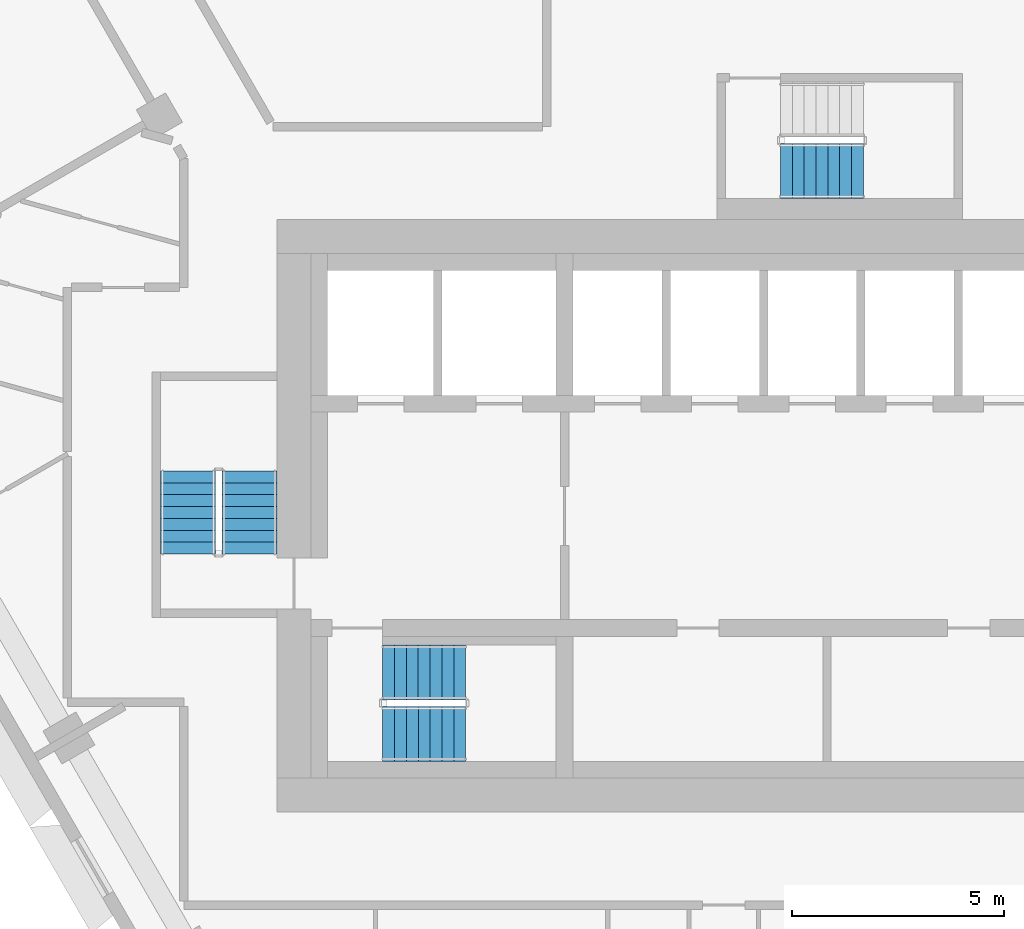
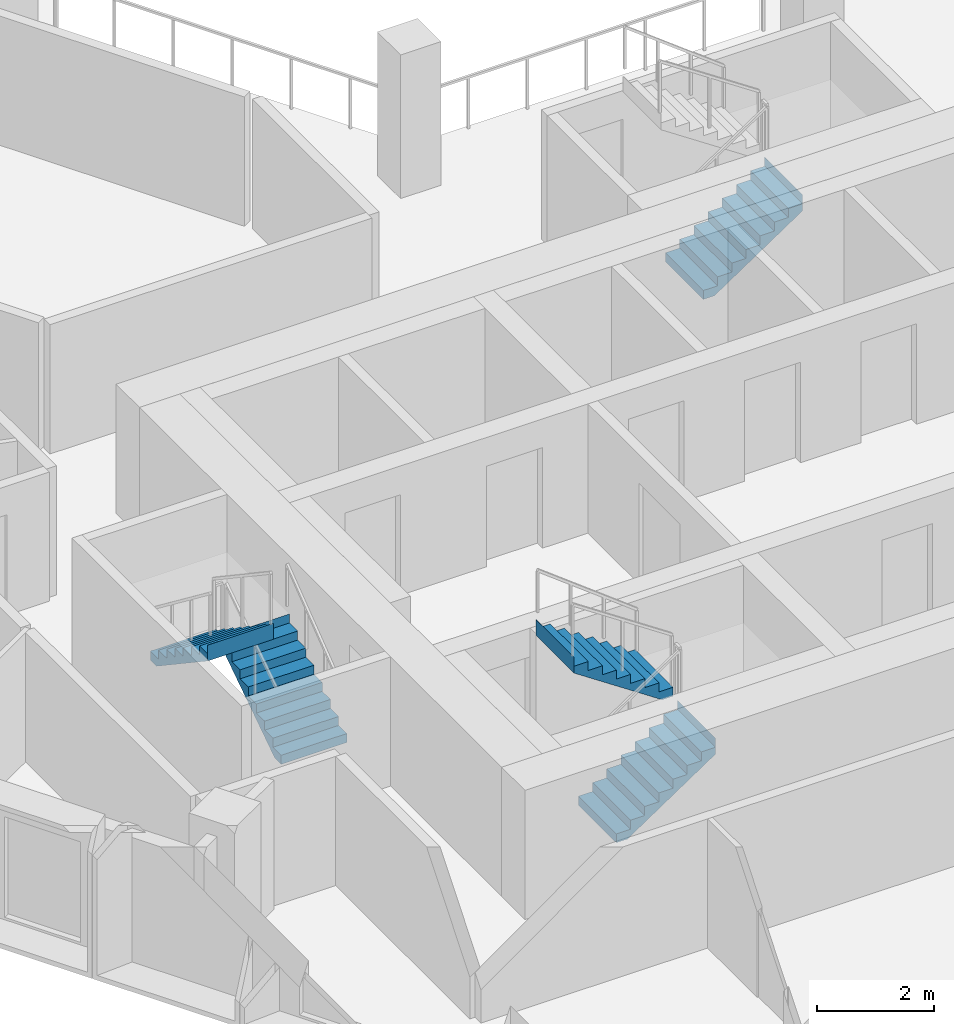
# One storey, part 10 of 15: 5 stair flights, 3 elements without a shape of their own.
"""IFC4 building model written with IfcOpenShell, lengths in metres."""

from ifc_helpers import new_model, si_unit, direction, frame, origin, place, context, subcontext, project, spatial, triangles, material, type_object, element, aggregate, save


model = new_model("IFC4")

# Units and contexts
model_context = context("Model", 3, precision=1e-05, world=origin(), true_north=direction((0.0, 1.0)))
body_context = subcontext(model_context, "Body", "Model", "MODEL_VIEW")
ifc_project = project(units=[si_unit("LENGTHUNIT", "METRE"), si_unit("AREAUNIT", "SQUARE_METRE"), si_unit("VOLUMEUNIT", "CUBIC_METRE"), si_unit("PLANEANGLEUNIT", "RADIAN"), si_unit("MASSUNIT", "GRAM", prefix="KILO")], contexts=[model_context])

# Site, building, storey
site_placement = place(None, origin())
site = spatial("IfcSite", under=ifc_project, at=site_placement, CompositionType="ELEMENT")
building_placement = place(site_placement, origin())
building = spatial("IfcBuilding", under=site, at=building_placement, Name="Beryl Residences", CompositionType="ELEMENT")
storey_placement = place(building_placement, frame((0.0, 0.0, 117.60009765625)))
storey = spatial("IfcBuildingStorey", under=building, at=storey_placement, Name="L35", CompositionType="ELEMENT", Elevation=117.60009765625)

# Stair, stair flights
ifc_material_1 = material(Name="Concrete C40/50", Category="concrete")
stair_type = type_object("IfcStairType", Name="ST1 protected exit stair, half-turn, 1300 mm flights", PredefinedType="HALF_TURN_STAIR", material=ifc_material_1)
stair_1_placement = place(storey_placement, origin())
stair_1 = element("IfcStair", 1, at=stair_1_placement, inside=storey, type_object=stair_type, Name="L35 PROTECTED EXIT STAIR ST-1", PredefinedType="HALF_TURN_STAIR")
ifc_material_2 = material(Name="Concrete C40/50", Category="concrete")
stair_flight_type = type_object("IfcStairFlightType", Name="SF1 stair flight 1300 mm", PredefinedType="STRAIGHT", material=ifc_material_2)
stair_flight_1_placement = place(storey_placement, frame((-10.800048828125, -17.14990234375, 0.0), z_axis=(0.0, 0.0, 1.0), x_axis=(1.0, 0.0, 0.0)))
stair_flight_1 = element("IfcStairFlight", 2, at=stair_flight_1_placement, type_object=stair_flight_type, Name="ST-1 flight 1", NumberOfRisers=8, NumberOfTreads=7, PredefinedType="STRAIGHT", RiserHeight=0.1875, TreadLength=0.28, context=body_context, shape_type="Tessellation", body=[
    triangles([(0.0, -0.64990234375, 0.0), (0.0, -0.324951171875, 0.0), (0.0, 0.0, 0.0), (0.0, 0.324951171875, 0.0), (0.0, 0.64990234375, 0.0), (0.0, -0.64990234375, 0.1875), (0.0, -0.324951171875, 0.1875), (0.0, 0.0, 0.1875), (0.0, 0.324951171875, 0.1875), (0.0, 0.64990234375, 0.1875), (0.280029296875, -0.64990234375, 0.1875), (0.280029296875, -0.324951171875, 0.1875), (0.280029296875, 0.0, 0.1875), (0.280029296875, 0.324951171875, 0.1875), (0.280029296875, 0.64990234375, 0.1875), (0.280029296875, -0.64990234375, 0.375), (0.280029296875, -0.324951171875, 0.375), (0.280029296875, 0.0, 0.375), (0.280029296875, 0.324951171875, 0.375), (0.280029296875, 0.64990234375, 0.375), (0.56005859375, -0.64990234375, 0.375), (0.56005859375, -0.324951171875, 0.375), (0.56005859375, 0.0, 0.375), (0.56005859375, 0.324951171875, 0.375), (0.56005859375, 0.64990234375, 0.375), (0.56005859375, -0.64990234375, 0.5625), (0.56005859375, -0.324951171875, 0.5625), (0.56005859375, 0.0, 0.5625), (0.56005859375, 0.324951171875, 0.5625), (0.56005859375, 0.64990234375, 0.5625), (0.840087890625, -0.64990234375, 0.5625), (0.840087890625, -0.324951171875, 0.5625), (0.840087890625, 0.0, 0.5625), (0.840087890625, 0.324951171875, 0.5625), (0.840087890625, 0.64990234375, 0.5625), (0.840087890625, -0.64990234375, 0.75), (0.840087890625, -0.324951171875, 0.75), (0.840087890625, 0.0, 0.75), (0.840087890625, 0.324951171875, 0.75), (0.840087890625, 0.64990234375, 0.75), (1.1201171875, -0.64990234375, 0.75), (1.1201171875, -0.324951171875, 0.75), (1.1201171875, 0.0, 0.75), (1.1201171875, 0.324951171875, 0.75), (1.1201171875, 0.64990234375, 0.75), (1.1201171875, -0.64990234375, 0.9375), (1.1201171875, -0.324951171875, 0.9375), (1.1201171875, 0.0, 0.9375), (1.1201171875, 0.324951171875, 0.9375), (1.1201171875, 0.64990234375, 0.9375), (1.39990234375, -0.64990234375, 0.9375), (1.39990234375, -0.324951171875, 0.9375), (1.39990234375, 0.0, 0.9375), (1.39990234375, 0.324951171875, 0.9375), (1.39990234375, 0.64990234375, 0.9375), (1.39990234375, -0.64990234375, 1.125), (1.39990234375, -0.324951171875, 1.125), (1.39990234375, 0.0, 1.125), (1.39990234375, 0.324951171875, 1.125), (1.39990234375, 0.64990234375, 1.125), (1.679931640625, -0.64990234375, 1.125), (1.679931640625, -0.324951171875, 1.125), (1.679931640625, 0.0, 1.125), (1.679931640625, 0.324951171875, 1.125), (1.679931640625, 0.64990234375, 1.125), (1.679931640625, -0.64990234375, 1.3125), (1.679931640625, -0.324951171875, 1.3125), (1.679931640625, 0.0, 1.3125), (1.679931640625, 0.324951171875, 1.3125), (1.679931640625, 0.64990234375, 1.3125), (1.9599609375, -0.64990234375, 1.3125), (1.9599609375, -0.324951171875, 1.3125), (1.9599609375, 0.0, 1.3125), (1.9599609375, 0.324951171875, 1.3125), (1.9599609375, 0.64990234375, 1.3125), (1.9599609375, -0.64990234375, 1.5), (1.9599609375, -0.324951171875, 1.5), (1.9599609375, 0.0, 1.5), (1.9599609375, 0.324951171875, 1.5), (1.9599609375, 0.64990234375, 1.5), (1.9609375, -0.64990234375, 1.5), (1.9609375, -0.324951171875, 1.5), (1.9609375, 0.0, 1.5), (1.9609375, 0.324951171875, 1.5), (1.9609375, 0.64990234375, 1.5), (1.9609375, -0.64990234375, 1.16796875), (1.9609375, -0.324951171875, 1.16796875), (1.9609375, 0.0, 1.16796875), (1.9609375, 0.324951171875, 1.16796875), (1.9609375, 0.64990234375, 1.16796875), (0.216796875, -0.64990234375, 0.0), (0.216796875, -0.324951171875, 0.0), (0.216796875, 0.0, 0.0), (0.216796875, 0.324951171875, 0.0), (0.216796875, 0.64990234375, 0.0)], [[1, 6, 7], [1, 7, 2], [2, 7, 8], [2, 8, 3], [3, 8, 9], [3, 9, 4], [4, 9, 10], [4, 10, 5], [6, 11, 12], [6, 12, 7], [7, 12, 13], [7, 13, 8], [8, 13, 14], [8, 14, 9], [9, 14, 15], [9, 15, 10], [11, 16, 17], [11, 17, 12], [12, 17, 18], [12, 18, 13], [13, 18, 19], [13, 19, 14], [14, 19, 20], [14, 20, 15], [16, 21, 22], [16, 22, 17], [17, 22, 23], [17, 23, 18], [18, 23, 24], [18, 24, 19], [19, 24, 25], [19, 25, 20], [21, 26, 27], [21, 27, 22], [22, 27, 28], [22, 28, 23], [23, 28, 29], [23, 29, 24], [24, 29, 30], [24, 30, 25], [26, 31, 32], [26, 32, 27], [27, 32, 33], [27, 33, 28], [28, 33, 34], [28, 34, 29], [29, 34, 35], [29, 35, 30], [31, 36, 37], [31, 37, 32], [32, 37, 38], [32, 38, 33], [33, 38, 39], [33, 39, 34], [34, 39, 40], [34, 40, 35], [36, 41, 42], [36, 42, 37], [37, 42, 43], [37, 43, 38], [38, 43, 44], [38, 44, 39], [39, 44, 45], [39, 45, 40], [41, 46, 47], [41, 47, 42], [42, 47, 48], [42, 48, 43], [43, 48, 49], [43, 49, 44], [44, 49, 50], [44, 50, 45], [46, 51, 52], [46, 52, 47], [47, 52, 53], [47, 53, 48], [48, 53, 54], [48, 54, 49], [49, 54, 55], [49, 55, 50], [51, 56, 57], [51, 57, 52], [52, 57, 58], [52, 58, 53], [53, 58, 59], [53, 59, 54], [54, 59, 60], [54, 60, 55], [56, 61, 62], [56, 62, 57], [57, 62, 63], [57, 63, 58], [58, 63, 64], [58, 64, 59], [59, 64, 65], [59, 65, 60], [61, 66, 67], [61, 67, 62], [62, 67, 68], [62, 68, 63], [63, 68, 69], [63, 69, 64], [64, 69, 70], [64, 70, 65], [66, 71, 72], [66, 72, 67], [67, 72, 73], [67, 73, 68], [68, 73, 74], [68, 74, 69], [69, 74, 75], [69, 75, 70], [71, 76, 77], [71, 77, 72], [72, 77, 78], [72, 78, 73], [73, 78, 79], [73, 79, 74], [74, 79, 80], [74, 80, 75], [76, 81, 82], [76, 82, 77], [77, 82, 83], [77, 83, 78], [78, 83, 84], [78, 84, 79], [79, 84, 85], [79, 85, 80], [81, 86, 87], [81, 87, 82], [82, 87, 88], [82, 88, 83], [83, 88, 89], [83, 89, 84], [84, 89, 90], [84, 90, 85], [86, 91, 92], [86, 92, 87], [87, 92, 93], [87, 93, 88], [88, 93, 94], [88, 94, 89], [89, 94, 95], [89, 95, 90], [91, 1, 2], [91, 2, 92], [92, 2, 3], [92, 3, 93], [93, 3, 4], [93, 4, 94], [94, 4, 5], [94, 5, 95], [1, 91, 86], [5, 90, 95], [86, 81, 76], [90, 80, 85], [86, 76, 71], [90, 75, 80], [86, 71, 66], [90, 70, 75], [86, 66, 61], [90, 65, 70], [61, 56, 51], [65, 55, 60], [86, 61, 51], [90, 55, 65], [51, 46, 41], [55, 45, 50], [86, 51, 41], [90, 45, 55], [41, 36, 31], [45, 35, 40], [86, 41, 31], [90, 35, 45], [31, 26, 21], [35, 25, 30], [86, 31, 21], [90, 25, 35], [21, 16, 11], [25, 15, 20], [86, 21, 11], [90, 15, 25], [1, 86, 11], [5, 15, 90], [11, 6, 1], [15, 5, 10]], closed=True),
])
stair_flight_2_placement = place(storey_placement, frame((-8.840087890625, -15.699951171875, 1.5), z_axis=(0.0, 0.0, 1.0), x_axis=(-1.0, 0.0, 0.0)))
stair_flight_2 = element("IfcStairFlight", 3, at=stair_flight_2_placement, type_object=stair_flight_type, Name="ST-1 flight 2", NumberOfRisers=8, NumberOfTreads=7, PredefinedType="STRAIGHT", RiserHeight=0.1875, TreadLength=0.28, context=body_context, shape_type="Tessellation", body=[
    triangles([(0.0, -0.64990234375, 0.0), (0.0, -0.324951171875, 0.0), (0.0, 0.0, 0.0), (0.0, 0.324951171875, 0.0), (0.0, 0.64990234375, 0.0), (0.0, -0.64990234375, 0.1875), (0.0, -0.324951171875, 0.1875), (0.0, 0.0, 0.1875), (0.0, 0.324951171875, 0.1875), (0.0, 0.64990234375, 0.1875), (0.280029296875, -0.64990234375, 0.1875), (0.280029296875, -0.324951171875, 0.1875), (0.280029296875, 0.0, 0.1875), (0.280029296875, 0.324951171875, 0.1875), (0.280029296875, 0.64990234375, 0.1875), (0.280029296875, -0.64990234375, 0.375), (0.280029296875, -0.324951171875, 0.375), (0.280029296875, 0.0, 0.375), (0.280029296875, 0.324951171875, 0.375), (0.280029296875, 0.64990234375, 0.375), (0.56005859375, -0.64990234375, 0.375), (0.56005859375, -0.324951171875, 0.375), (0.56005859375, 0.0, 0.375), (0.56005859375, 0.324951171875, 0.375), (0.56005859375, 0.64990234375, 0.375), (0.56005859375, -0.64990234375, 0.5625), (0.56005859375, -0.324951171875, 0.5625), (0.56005859375, 0.0, 0.5625), (0.56005859375, 0.324951171875, 0.5625), (0.56005859375, 0.64990234375, 0.5625), (0.840087890625, -0.64990234375, 0.5625), (0.840087890625, -0.324951171875, 0.5625), (0.840087890625, 0.0, 0.5625), (0.840087890625, 0.324951171875, 0.5625), (0.840087890625, 0.64990234375, 0.5625), (0.840087890625, -0.64990234375, 0.75), (0.840087890625, -0.324951171875, 0.75), (0.840087890625, 0.0, 0.75), (0.840087890625, 0.324951171875, 0.75), (0.840087890625, 0.64990234375, 0.75), (1.1201171875, -0.64990234375, 0.75), (1.1201171875, -0.324951171875, 0.75), (1.1201171875, 0.0, 0.75), (1.1201171875, 0.324951171875, 0.75), (1.1201171875, 0.64990234375, 0.75), (1.1201171875, -0.64990234375, 0.9375), (1.1201171875, -0.324951171875, 0.9375), (1.1201171875, 0.0, 0.9375), (1.1201171875, 0.324951171875, 0.9375), (1.1201171875, 0.64990234375, 0.9375), (1.39990234375, -0.64990234375, 0.9375), (1.39990234375, -0.324951171875, 0.9375), (1.39990234375, 0.0, 0.9375), (1.39990234375, 0.324951171875, 0.9375), (1.39990234375, 0.64990234375, 0.9375), (1.39990234375, -0.64990234375, 1.125), (1.39990234375, -0.324951171875, 1.125), (1.39990234375, 0.0, 1.125), (1.39990234375, 0.324951171875, 1.125), (1.39990234375, 0.64990234375, 1.125), (1.679931640625, -0.64990234375, 1.125), (1.679931640625, -0.324951171875, 1.125), (1.679931640625, 0.0, 1.125), (1.679931640625, 0.324951171875, 1.125), (1.679931640625, 0.64990234375, 1.125), (1.679931640625, -0.64990234375, 1.3125), (1.679931640625, -0.324951171875, 1.3125), (1.679931640625, 0.0, 1.3125), (1.679931640625, 0.324951171875, 1.3125), (1.679931640625, 0.64990234375, 1.3125), (1.9599609375, -0.64990234375, 1.3125), (1.9599609375, -0.324951171875, 1.3125), (1.9599609375, 0.0, 1.3125), (1.9599609375, 0.324951171875, 1.3125), (1.9599609375, 0.64990234375, 1.3125), (1.9599609375, -0.64990234375, 1.5), (1.9599609375, -0.324951171875, 1.5), (1.9599609375, 0.0, 1.5), (1.9599609375, 0.324951171875, 1.5), (1.9599609375, 0.64990234375, 1.5), (1.9609375, -0.64990234375, 1.5), (1.9609375, -0.324951171875, 1.5), (1.9609375, 0.0, 1.5), (1.9609375, 0.324951171875, 1.5), (1.9609375, 0.64990234375, 1.5), (1.9609375, -0.64990234375, 1.16796875), (1.9609375, -0.324951171875, 1.16796875), (1.9609375, 0.0, 1.16796875), (1.9609375, 0.324951171875, 1.16796875), (1.9609375, 0.64990234375, 1.16796875), (0.216796875, -0.64990234375, 0.0), (0.216796875, -0.324951171875, 0.0), (0.216796875, 0.0, 0.0), (0.216796875, 0.324951171875, 0.0), (0.216796875, 0.64990234375, 0.0)], [[1, 6, 7], [1, 7, 2], [2, 7, 8], [2, 8, 3], [3, 8, 9], [3, 9, 4], [4, 9, 10], [4, 10, 5], [6, 11, 12], [6, 12, 7], [7, 12, 13], [7, 13, 8], [8, 13, 14], [8, 14, 9], [9, 14, 15], [9, 15, 10], [11, 16, 17], [11, 17, 12], [12, 17, 18], [12, 18, 13], [13, 18, 19], [13, 19, 14], [14, 19, 20], [14, 20, 15], [16, 21, 22], [16, 22, 17], [17, 22, 23], [17, 23, 18], [18, 23, 24], [18, 24, 19], [19, 24, 25], [19, 25, 20], [21, 26, 27], [21, 27, 22], [22, 27, 28], [22, 28, 23], [23, 28, 29], [23, 29, 24], [24, 29, 30], [24, 30, 25], [26, 31, 32], [26, 32, 27], [27, 32, 33], [27, 33, 28], [28, 33, 34], [28, 34, 29], [29, 34, 35], [29, 35, 30], [31, 36, 37], [31, 37, 32], [32, 37, 38], [32, 38, 33], [33, 38, 39], [33, 39, 34], [34, 39, 40], [34, 40, 35], [36, 41, 42], [36, 42, 37], [37, 42, 43], [37, 43, 38], [38, 43, 44], [38, 44, 39], [39, 44, 45], [39, 45, 40], [41, 46, 47], [41, 47, 42], [42, 47, 48], [42, 48, 43], [43, 48, 49], [43, 49, 44], [44, 49, 50], [44, 50, 45], [46, 51, 52], [46, 52, 47], [47, 52, 53], [47, 53, 48], [48, 53, 54], [48, 54, 49], [49, 54, 55], [49, 55, 50], [51, 56, 57], [51, 57, 52], [52, 57, 58], [52, 58, 53], [53, 58, 59], [53, 59, 54], [54, 59, 60], [54, 60, 55], [56, 61, 62], [56, 62, 57], [57, 62, 63], [57, 63, 58], [58, 63, 64], [58, 64, 59], [59, 64, 65], [59, 65, 60], [61, 66, 67], [61, 67, 62], [62, 67, 68], [62, 68, 63], [63, 68, 69], [63, 69, 64], [64, 69, 70], [64, 70, 65], [66, 71, 72], [66, 72, 67], [67, 72, 73], [67, 73, 68], [68, 73, 74], [68, 74, 69], [69, 74, 75], [69, 75, 70], [71, 76, 77], [71, 77, 72], [72, 77, 78], [72, 78, 73], [73, 78, 79], [73, 79, 74], [74, 79, 80], [74, 80, 75], [76, 81, 82], [76, 82, 77], [77, 82, 83], [77, 83, 78], [78, 83, 84], [78, 84, 79], [79, 84, 85], [79, 85, 80], [81, 86, 87], [81, 87, 82], [82, 87, 88], [82, 88, 83], [83, 88, 89], [83, 89, 84], [84, 89, 90], [84, 90, 85], [86, 91, 92], [86, 92, 87], [87, 92, 93], [87, 93, 88], [88, 93, 94], [88, 94, 89], [89, 94, 95], [89, 95, 90], [91, 1, 2], [91, 2, 92], [92, 2, 3], [92, 3, 93], [93, 3, 4], [93, 4, 94], [94, 4, 5], [94, 5, 95], [1, 91, 86], [5, 90, 95], [86, 81, 76], [90, 80, 85], [86, 76, 71], [90, 75, 80], [86, 71, 66], [90, 70, 75], [86, 66, 61], [90, 65, 70], [61, 56, 51], [65, 55, 60], [86, 61, 51], [90, 55, 65], [51, 46, 41], [55, 45, 50], [86, 51, 41], [90, 45, 55], [41, 36, 31], [45, 35, 40], [86, 41, 31], [90, 35, 45], [31, 26, 21], [35, 25, 30], [86, 31, 21], [90, 25, 35], [21, 16, 11], [25, 15, 20], [86, 21, 11], [90, 15, 25], [1, 86, 11], [5, 15, 90], [11, 6, 1], [15, 5, 10]], closed=True),
])
aggregate(stair_1, [stair_flight_1, stair_flight_2])

stair_2_placement = place(storey_placement, origin())
stair_2 = element("IfcStair", 4, at=stair_2_placement, inside=storey, type_object=stair_type, Name="L35 PROTECTED EXIT STAIR ST-2", PredefinedType="HALF_TURN_STAIR")
stair_flight_3_placement = place(storey_placement, frame((-13.949951171875, -12.89990234375, 0.0), z_axis=(0.0, 0.0, 1.0), x_axis=(0.0, 1.0, 0.0)))
stair_flight_3 = element("IfcStairFlight", 5, at=stair_flight_3_placement, type_object=stair_flight_type, Name="ST-2 flight 1", NumberOfRisers=8, NumberOfTreads=7, PredefinedType="STRAIGHT", RiserHeight=0.1875, TreadLength=0.28, context=body_context, shape_type="Tessellation", body=[
    triangles([(0.0, -0.64990234375, 0.0), (0.0, -0.324951171875, 0.0), (0.0, 0.0, 0.0), (0.0, 0.324951171875, 0.0), (0.0, 0.64990234375, 0.0), (0.0, -0.64990234375, 0.1875), (0.0, -0.324951171875, 0.1875), (0.0, 0.0, 0.1875), (0.0, 0.324951171875, 0.1875), (0.0, 0.64990234375, 0.1875), (0.280029296875, -0.64990234375, 0.1875), (0.280029296875, -0.324951171875, 0.1875), (0.280029296875, 0.0, 0.1875), (0.280029296875, 0.324951171875, 0.1875), (0.280029296875, 0.64990234375, 0.1875), (0.280029296875, -0.64990234375, 0.375), (0.280029296875, -0.324951171875, 0.375), (0.280029296875, 0.0, 0.375), (0.280029296875, 0.324951171875, 0.375), (0.280029296875, 0.64990234375, 0.375), (0.56005859375, -0.64990234375, 0.375), (0.56005859375, -0.324951171875, 0.375), (0.56005859375, 0.0, 0.375), (0.56005859375, 0.324951171875, 0.375), (0.56005859375, 0.64990234375, 0.375), (0.56005859375, -0.64990234375, 0.5625), (0.56005859375, -0.324951171875, 0.5625), (0.56005859375, 0.0, 0.5625), (0.56005859375, 0.324951171875, 0.5625), (0.56005859375, 0.64990234375, 0.5625), (0.840087890625, -0.64990234375, 0.5625), (0.840087890625, -0.324951171875, 0.5625), (0.840087890625, 0.0, 0.5625), (0.840087890625, 0.324951171875, 0.5625), (0.840087890625, 0.64990234375, 0.5625), (0.840087890625, -0.64990234375, 0.75), (0.840087890625, -0.324951171875, 0.75), (0.840087890625, 0.0, 0.75), (0.840087890625, 0.324951171875, 0.75), (0.840087890625, 0.64990234375, 0.75), (1.1201171875, -0.64990234375, 0.75), (1.1201171875, -0.324951171875, 0.75), (1.1201171875, 0.0, 0.75), (1.1201171875, 0.324951171875, 0.75), (1.1201171875, 0.64990234375, 0.75), (1.1201171875, -0.64990234375, 0.9375), (1.1201171875, -0.324951171875, 0.9375), (1.1201171875, 0.0, 0.9375), (1.1201171875, 0.324951171875, 0.9375), (1.1201171875, 0.64990234375, 0.9375), (1.39990234375, -0.64990234375, 0.9375), (1.39990234375, -0.324951171875, 0.9375), (1.39990234375, 0.0, 0.9375), (1.39990234375, 0.324951171875, 0.9375), (1.39990234375, 0.64990234375, 0.9375), (1.39990234375, -0.64990234375, 1.125), (1.39990234375, -0.324951171875, 1.125), (1.39990234375, 0.0, 1.125), (1.39990234375, 0.324951171875, 1.125), (1.39990234375, 0.64990234375, 1.125), (1.679931640625, -0.64990234375, 1.125), (1.679931640625, -0.324951171875, 1.125), (1.679931640625, 0.0, 1.125), (1.679931640625, 0.324951171875, 1.125), (1.679931640625, 0.64990234375, 1.125), (1.679931640625, -0.64990234375, 1.3125), (1.679931640625, -0.324951171875, 1.3125), (1.679931640625, 0.0, 1.3125), (1.679931640625, 0.324951171875, 1.3125), (1.679931640625, 0.64990234375, 1.3125), (1.9599609375, -0.64990234375, 1.3125), (1.9599609375, -0.324951171875, 1.3125), (1.9599609375, 0.0, 1.3125), (1.9599609375, 0.324951171875, 1.3125), (1.9599609375, 0.64990234375, 1.3125), (1.9599609375, -0.64990234375, 1.5), (1.9599609375, -0.324951171875, 1.5), (1.9599609375, 0.0, 1.5), (1.9599609375, 0.324951171875, 1.5), (1.9599609375, 0.64990234375, 1.5), (1.9609375, -0.64990234375, 1.5), (1.9609375, -0.324951171875, 1.5), (1.9609375, 0.0, 1.5), (1.9609375, 0.324951171875, 1.5), (1.9609375, 0.64990234375, 1.5), (1.9609375, -0.64990234375, 1.16796875), (1.9609375, -0.324951171875, 1.16796875), (1.9609375, 0.0, 1.16796875), (1.9609375, 0.324951171875, 1.16796875), (1.9609375, 0.64990234375, 1.16796875), (0.216796875, -0.64990234375, 0.0), (0.216796875, -0.324951171875, 0.0), (0.216796875, 0.0, 0.0), (0.216796875, 0.324951171875, 0.0), (0.216796875, 0.64990234375, 0.0)], [[1, 6, 7], [1, 7, 2], [2, 7, 8], [2, 8, 3], [3, 8, 9], [3, 9, 4], [4, 9, 10], [4, 10, 5], [6, 11, 12], [6, 12, 7], [7, 12, 13], [7, 13, 8], [8, 13, 14], [8, 14, 9], [9, 14, 15], [9, 15, 10], [11, 16, 17], [11, 17, 12], [12, 17, 18], [12, 18, 13], [13, 18, 19], [13, 19, 14], [14, 19, 20], [14, 20, 15], [16, 21, 22], [16, 22, 17], [17, 22, 23], [17, 23, 18], [18, 23, 24], [18, 24, 19], [19, 24, 25], [19, 25, 20], [21, 26, 27], [21, 27, 22], [22, 27, 28], [22, 28, 23], [23, 28, 29], [23, 29, 24], [24, 29, 30], [24, 30, 25], [26, 31, 32], [26, 32, 27], [27, 32, 33], [27, 33, 28], [28, 33, 34], [28, 34, 29], [29, 34, 35], [29, 35, 30], [31, 36, 37], [31, 37, 32], [32, 37, 38], [32, 38, 33], [33, 38, 39], [33, 39, 34], [34, 39, 40], [34, 40, 35], [36, 41, 42], [36, 42, 37], [37, 42, 43], [37, 43, 38], [38, 43, 44], [38, 44, 39], [39, 44, 45], [39, 45, 40], [41, 46, 47], [41, 47, 42], [42, 47, 48], [42, 48, 43], [43, 48, 49], [43, 49, 44], [44, 49, 50], [44, 50, 45], [46, 51, 52], [46, 52, 47], [47, 52, 53], [47, 53, 48], [48, 53, 54], [48, 54, 49], [49, 54, 55], [49, 55, 50], [51, 56, 57], [51, 57, 52], [52, 57, 58], [52, 58, 53], [53, 58, 59], [53, 59, 54], [54, 59, 60], [54, 60, 55], [56, 61, 62], [56, 62, 57], [57, 62, 63], [57, 63, 58], [58, 63, 64], [58, 64, 59], [59, 64, 65], [59, 65, 60], [61, 66, 67], [61, 67, 62], [62, 67, 68], [62, 68, 63], [63, 68, 69], [63, 69, 64], [64, 69, 70], [64, 70, 65], [66, 71, 72], [66, 72, 67], [67, 72, 73], [67, 73, 68], [68, 73, 74], [68, 74, 69], [69, 74, 75], [69, 75, 70], [71, 76, 77], [71, 77, 72], [72, 77, 78], [72, 78, 73], [73, 78, 79], [73, 79, 74], [74, 79, 80], [74, 80, 75], [76, 81, 82], [76, 82, 77], [77, 82, 83], [77, 83, 78], [78, 83, 84], [78, 84, 79], [79, 84, 85], [79, 85, 80], [81, 86, 87], [81, 87, 82], [82, 87, 88], [82, 88, 83], [83, 88, 89], [83, 89, 84], [84, 89, 90], [84, 90, 85], [86, 91, 92], [86, 92, 87], [87, 92, 93], [87, 93, 88], [88, 93, 94], [88, 94, 89], [89, 94, 95], [89, 95, 90], [91, 1, 2], [91, 2, 92], [92, 2, 3], [92, 3, 93], [93, 3, 4], [93, 4, 94], [94, 4, 5], [94, 5, 95], [1, 91, 86], [5, 90, 95], [86, 81, 76], [90, 80, 85], [86, 76, 71], [90, 75, 80], [86, 71, 66], [90, 70, 75], [86, 66, 61], [90, 65, 70], [61, 56, 51], [65, 55, 60], [86, 61, 51], [90, 55, 65], [51, 46, 41], [55, 45, 50], [86, 51, 41], [90, 45, 55], [41, 36, 31], [45, 35, 40], [86, 41, 31], [90, 35, 45], [31, 26, 21], [35, 25, 30], [86, 31, 21], [90, 25, 35], [21, 16, 11], [25, 15, 20], [86, 21, 11], [90, 15, 25], [1, 86, 11], [5, 15, 90], [11, 6, 1], [15, 5, 10]], closed=True),
])
stair_flight_4_placement = place(storey_placement, frame((-15.39990234375, -10.93994140625, 1.5), z_axis=(0.0, 0.0, 1.0), x_axis=(0.0, -1.0, 0.0)))
stair_flight_4 = element("IfcStairFlight", 6, at=stair_flight_4_placement, type_object=stair_flight_type, Name="ST-2 flight 2", NumberOfRisers=8, NumberOfTreads=7, PredefinedType="STRAIGHT", RiserHeight=0.1875, TreadLength=0.28, context=body_context, shape_type="Tessellation", body=[
    triangles([(0.0, -0.64990234375, 0.0), (0.0, -0.324951171875, 0.0), (0.0, 0.0, 0.0), (0.0, 0.324951171875, 0.0), (0.0, 0.64990234375, 0.0), (0.0, -0.64990234375, 0.1875), (0.0, -0.324951171875, 0.1875), (0.0, 0.0, 0.1875), (0.0, 0.324951171875, 0.1875), (0.0, 0.64990234375, 0.1875), (0.280029296875, -0.64990234375, 0.1875), (0.280029296875, -0.324951171875, 0.1875), (0.280029296875, 0.0, 0.1875), (0.280029296875, 0.324951171875, 0.1875), (0.280029296875, 0.64990234375, 0.1875), (0.280029296875, -0.64990234375, 0.375), (0.280029296875, -0.324951171875, 0.375), (0.280029296875, 0.0, 0.375), (0.280029296875, 0.324951171875, 0.375), (0.280029296875, 0.64990234375, 0.375), (0.56005859375, -0.64990234375, 0.375), (0.56005859375, -0.324951171875, 0.375), (0.56005859375, 0.0, 0.375), (0.56005859375, 0.324951171875, 0.375), (0.56005859375, 0.64990234375, 0.375), (0.56005859375, -0.64990234375, 0.5625), (0.56005859375, -0.324951171875, 0.5625), (0.56005859375, 0.0, 0.5625), (0.56005859375, 0.324951171875, 0.5625), (0.56005859375, 0.64990234375, 0.5625), (0.840087890625, -0.64990234375, 0.5625), (0.840087890625, -0.324951171875, 0.5625), (0.840087890625, 0.0, 0.5625), (0.840087890625, 0.324951171875, 0.5625), (0.840087890625, 0.64990234375, 0.5625), (0.840087890625, -0.64990234375, 0.75), (0.840087890625, -0.324951171875, 0.75), (0.840087890625, 0.0, 0.75), (0.840087890625, 0.324951171875, 0.75), (0.840087890625, 0.64990234375, 0.75), (1.1201171875, -0.64990234375, 0.75), (1.1201171875, -0.324951171875, 0.75), (1.1201171875, 0.0, 0.75), (1.1201171875, 0.324951171875, 0.75), (1.1201171875, 0.64990234375, 0.75), (1.1201171875, -0.64990234375, 0.9375), (1.1201171875, -0.324951171875, 0.9375), (1.1201171875, 0.0, 0.9375), (1.1201171875, 0.324951171875, 0.9375), (1.1201171875, 0.64990234375, 0.9375), (1.39990234375, -0.64990234375, 0.9375), (1.39990234375, -0.324951171875, 0.9375), (1.39990234375, 0.0, 0.9375), (1.39990234375, 0.324951171875, 0.9375), (1.39990234375, 0.64990234375, 0.9375), (1.39990234375, -0.64990234375, 1.125), (1.39990234375, -0.324951171875, 1.125), (1.39990234375, 0.0, 1.125), (1.39990234375, 0.324951171875, 1.125), (1.39990234375, 0.64990234375, 1.125), (1.679931640625, -0.64990234375, 1.125), (1.679931640625, -0.324951171875, 1.125), (1.679931640625, 0.0, 1.125), (1.679931640625, 0.324951171875, 1.125), (1.679931640625, 0.64990234375, 1.125), (1.679931640625, -0.64990234375, 1.3125), (1.679931640625, -0.324951171875, 1.3125), (1.679931640625, 0.0, 1.3125), (1.679931640625, 0.324951171875, 1.3125), (1.679931640625, 0.64990234375, 1.3125), (1.9599609375, -0.64990234375, 1.3125), (1.9599609375, -0.324951171875, 1.3125), (1.9599609375, 0.0, 1.3125), (1.9599609375, 0.324951171875, 1.3125), (1.9599609375, 0.64990234375, 1.3125), (1.9599609375, -0.64990234375, 1.5), (1.9599609375, -0.324951171875, 1.5), (1.9599609375, 0.0, 1.5), (1.9599609375, 0.324951171875, 1.5), (1.9599609375, 0.64990234375, 1.5), (1.9609375, -0.64990234375, 1.5), (1.9609375, -0.324951171875, 1.5), (1.9609375, 0.0, 1.5), (1.9609375, 0.324951171875, 1.5), (1.9609375, 0.64990234375, 1.5), (1.9609375, -0.64990234375, 1.16796875), (1.9609375, -0.324951171875, 1.16796875), (1.9609375, 0.0, 1.16796875), (1.9609375, 0.324951171875, 1.16796875), (1.9609375, 0.64990234375, 1.16796875), (0.216796875, -0.64990234375, 0.0), (0.216796875, -0.324951171875, 0.0), (0.216796875, 0.0, 0.0), (0.216796875, 0.324951171875, 0.0), (0.216796875, 0.64990234375, 0.0)], [[1, 6, 7], [1, 7, 2], [2, 7, 8], [2, 8, 3], [3, 8, 9], [3, 9, 4], [4, 9, 10], [4, 10, 5], [6, 11, 12], [6, 12, 7], [7, 12, 13], [7, 13, 8], [8, 13, 14], [8, 14, 9], [9, 14, 15], [9, 15, 10], [11, 16, 17], [11, 17, 12], [12, 17, 18], [12, 18, 13], [13, 18, 19], [13, 19, 14], [14, 19, 20], [14, 20, 15], [16, 21, 22], [16, 22, 17], [17, 22, 23], [17, 23, 18], [18, 23, 24], [18, 24, 19], [19, 24, 25], [19, 25, 20], [21, 26, 27], [21, 27, 22], [22, 27, 28], [22, 28, 23], [23, 28, 29], [23, 29, 24], [24, 29, 30], [24, 30, 25], [26, 31, 32], [26, 32, 27], [27, 32, 33], [27, 33, 28], [28, 33, 34], [28, 34, 29], [29, 34, 35], [29, 35, 30], [31, 36, 37], [31, 37, 32], [32, 37, 38], [32, 38, 33], [33, 38, 39], [33, 39, 34], [34, 39, 40], [34, 40, 35], [36, 41, 42], [36, 42, 37], [37, 42, 43], [37, 43, 38], [38, 43, 44], [38, 44, 39], [39, 44, 45], [39, 45, 40], [41, 46, 47], [41, 47, 42], [42, 47, 48], [42, 48, 43], [43, 48, 49], [43, 49, 44], [44, 49, 50], [44, 50, 45], [46, 51, 52], [46, 52, 47], [47, 52, 53], [47, 53, 48], [48, 53, 54], [48, 54, 49], [49, 54, 55], [49, 55, 50], [51, 56, 57], [51, 57, 52], [52, 57, 58], [52, 58, 53], [53, 58, 59], [53, 59, 54], [54, 59, 60], [54, 60, 55], [56, 61, 62], [56, 62, 57], [57, 62, 63], [57, 63, 58], [58, 63, 64], [58, 64, 59], [59, 64, 65], [59, 65, 60], [61, 66, 67], [61, 67, 62], [62, 67, 68], [62, 68, 63], [63, 68, 69], [63, 69, 64], [64, 69, 70], [64, 70, 65], [66, 71, 72], [66, 72, 67], [67, 72, 73], [67, 73, 68], [68, 73, 74], [68, 74, 69], [69, 74, 75], [69, 75, 70], [71, 76, 77], [71, 77, 72], [72, 77, 78], [72, 78, 73], [73, 78, 79], [73, 79, 74], [74, 79, 80], [74, 80, 75], [76, 81, 82], [76, 82, 77], [77, 82, 83], [77, 83, 78], [78, 83, 84], [78, 84, 79], [79, 84, 85], [79, 85, 80], [81, 86, 87], [81, 87, 82], [82, 87, 88], [82, 88, 83], [83, 88, 89], [83, 89, 84], [84, 89, 90], [84, 90, 85], [86, 91, 92], [86, 92, 87], [87, 92, 93], [87, 93, 88], [88, 93, 94], [88, 94, 89], [89, 94, 95], [89, 95, 90], [91, 1, 2], [91, 2, 92], [92, 2, 3], [92, 3, 93], [93, 3, 4], [93, 4, 94], [94, 4, 5], [94, 5, 95], [1, 91, 86], [5, 90, 95], [86, 81, 76], [90, 80, 85], [86, 76, 71], [90, 75, 80], [86, 71, 66], [90, 70, 75], [86, 66, 61], [90, 65, 70], [61, 56, 51], [65, 55, 60], [86, 61, 51], [90, 55, 65], [51, 46, 41], [55, 45, 50], [86, 51, 41], [90, 45, 55], [41, 36, 31], [45, 35, 40], [86, 41, 31], [90, 35, 45], [31, 26, 21], [35, 25, 30], [86, 31, 21], [90, 25, 35], [21, 16, 11], [25, 15, 20], [86, 21, 11], [90, 15, 25], [1, 86, 11], [5, 15, 90], [11, 6, 1], [15, 5, 10]], closed=True),
])
aggregate(stair_2, [stair_flight_3, stair_flight_4])

# Stair, stair flight
stair_3_placement = place(storey_placement, origin())
stair_3 = element("IfcStair", 7, at=stair_3_placement, inside=storey, type_object=stair_type, Name="L35 PROTECTED EXIT STAIR ST-4", PredefinedType="HALF_TURN_STAIR")
stair_flight_5_placement = place(storey_placement, frame((-1.39990234375, -3.85009765625, 0.0), z_axis=(0.0, 0.0, 1.0), x_axis=(1.0, 0.0, 0.0)))
stair_flight_5 = element("IfcStairFlight", 8, at=stair_flight_5_placement, type_object=stair_flight_type, Name="ST-4 flight 1", NumberOfRisers=8, NumberOfTreads=7, PredefinedType="STRAIGHT", RiserHeight=0.1875, TreadLength=0.28, context=body_context, shape_type="Tessellation", body=[
    triangles([(0.0, -0.64990234375, 0.0), (0.0, -0.324951171875, 0.0), (0.0, 0.0, 0.0), (0.0, 0.324951171875, 0.0), (0.0, 0.64990234375, 0.0), (0.0, -0.64990234375, 0.1875), (0.0, -0.324951171875, 0.1875), (0.0, 0.0, 0.1875), (0.0, 0.324951171875, 0.1875), (0.0, 0.64990234375, 0.1875), (0.280029296875, -0.64990234375, 0.1875), (0.280029296875, -0.324951171875, 0.1875), (0.280029296875, 0.0, 0.1875), (0.280029296875, 0.324951171875, 0.1875), (0.280029296875, 0.64990234375, 0.1875), (0.280029296875, -0.64990234375, 0.375), (0.280029296875, -0.324951171875, 0.375), (0.280029296875, 0.0, 0.375), (0.280029296875, 0.324951171875, 0.375), (0.280029296875, 0.64990234375, 0.375), (0.56005859375, -0.64990234375, 0.375), (0.56005859375, -0.324951171875, 0.375), (0.56005859375, 0.0, 0.375), (0.56005859375, 0.324951171875, 0.375), (0.56005859375, 0.64990234375, 0.375), (0.56005859375, -0.64990234375, 0.5625), (0.56005859375, -0.324951171875, 0.5625), (0.56005859375, 0.0, 0.5625), (0.56005859375, 0.324951171875, 0.5625), (0.56005859375, 0.64990234375, 0.5625), (0.840087890625, -0.64990234375, 0.5625), (0.840087890625, -0.324951171875, 0.5625), (0.840087890625, 0.0, 0.5625), (0.840087890625, 0.324951171875, 0.5625), (0.840087890625, 0.64990234375, 0.5625), (0.840087890625, -0.64990234375, 0.75), (0.840087890625, -0.324951171875, 0.75), (0.840087890625, 0.0, 0.75), (0.840087890625, 0.324951171875, 0.75), (0.840087890625, 0.64990234375, 0.75), (1.1201171875, -0.64990234375, 0.75), (1.1201171875, -0.324951171875, 0.75), (1.1201171875, 0.0, 0.75), (1.1201171875, 0.324951171875, 0.75), (1.1201171875, 0.64990234375, 0.75), (1.1201171875, -0.64990234375, 0.9375), (1.1201171875, -0.324951171875, 0.9375), (1.1201171875, 0.0, 0.9375), (1.1201171875, 0.324951171875, 0.9375), (1.1201171875, 0.64990234375, 0.9375), (1.39990234375, -0.64990234375, 0.9375), (1.39990234375, -0.324951171875, 0.9375), (1.39990234375, 0.0, 0.9375), (1.39990234375, 0.324951171875, 0.9375), (1.39990234375, 0.64990234375, 0.9375), (1.39990234375, -0.64990234375, 1.125), (1.39990234375, -0.324951171875, 1.125), (1.39990234375, 0.0, 1.125), (1.39990234375, 0.324951171875, 1.125), (1.39990234375, 0.64990234375, 1.125), (1.679931640625, -0.64990234375, 1.125), (1.679931640625, -0.324951171875, 1.125), (1.679931640625, 0.0, 1.125), (1.679931640625, 0.324951171875, 1.125), (1.679931640625, 0.64990234375, 1.125), (1.679931640625, -0.64990234375, 1.3125), (1.679931640625, -0.324951171875, 1.3125), (1.679931640625, 0.0, 1.3125), (1.679931640625, 0.324951171875, 1.3125), (1.679931640625, 0.64990234375, 1.3125), (1.9599609375, -0.64990234375, 1.3125), (1.9599609375, -0.324951171875, 1.3125), (1.9599609375, 0.0, 1.3125), (1.9599609375, 0.324951171875, 1.3125), (1.9599609375, 0.64990234375, 1.3125), (1.9599609375, -0.64990234375, 1.5), (1.9599609375, -0.324951171875, 1.5), (1.9599609375, 0.0, 1.5), (1.9599609375, 0.324951171875, 1.5), (1.9599609375, 0.64990234375, 1.5), (1.9609375, -0.64990234375, 1.5), (1.9609375, -0.324951171875, 1.5), (1.9609375, 0.0, 1.5), (1.9609375, 0.324951171875, 1.5), (1.9609375, 0.64990234375, 1.5), (1.9609375, -0.64990234375, 1.16796875), (1.9609375, -0.324951171875, 1.16796875), (1.9609375, 0.0, 1.16796875), (1.9609375, 0.324951171875, 1.16796875), (1.9609375, 0.64990234375, 1.16796875), (0.216796875, -0.64990234375, 0.0), (0.216796875, -0.324951171875, 0.0), (0.216796875, 0.0, 0.0), (0.216796875, 0.324951171875, 0.0), (0.216796875, 0.64990234375, 0.0)], [[1, 6, 7], [1, 7, 2], [2, 7, 8], [2, 8, 3], [3, 8, 9], [3, 9, 4], [4, 9, 10], [4, 10, 5], [6, 11, 12], [6, 12, 7], [7, 12, 13], [7, 13, 8], [8, 13, 14], [8, 14, 9], [9, 14, 15], [9, 15, 10], [11, 16, 17], [11, 17, 12], [12, 17, 18], [12, 18, 13], [13, 18, 19], [13, 19, 14], [14, 19, 20], [14, 20, 15], [16, 21, 22], [16, 22, 17], [17, 22, 23], [17, 23, 18], [18, 23, 24], [18, 24, 19], [19, 24, 25], [19, 25, 20], [21, 26, 27], [21, 27, 22], [22, 27, 28], [22, 28, 23], [23, 28, 29], [23, 29, 24], [24, 29, 30], [24, 30, 25], [26, 31, 32], [26, 32, 27], [27, 32, 33], [27, 33, 28], [28, 33, 34], [28, 34, 29], [29, 34, 35], [29, 35, 30], [31, 36, 37], [31, 37, 32], [32, 37, 38], [32, 38, 33], [33, 38, 39], [33, 39, 34], [34, 39, 40], [34, 40, 35], [36, 41, 42], [36, 42, 37], [37, 42, 43], [37, 43, 38], [38, 43, 44], [38, 44, 39], [39, 44, 45], [39, 45, 40], [41, 46, 47], [41, 47, 42], [42, 47, 48], [42, 48, 43], [43, 48, 49], [43, 49, 44], [44, 49, 50], [44, 50, 45], [46, 51, 52], [46, 52, 47], [47, 52, 53], [47, 53, 48], [48, 53, 54], [48, 54, 49], [49, 54, 55], [49, 55, 50], [51, 56, 57], [51, 57, 52], [52, 57, 58], [52, 58, 53], [53, 58, 59], [53, 59, 54], [54, 59, 60], [54, 60, 55], [56, 61, 62], [56, 62, 57], [57, 62, 63], [57, 63, 58], [58, 63, 64], [58, 64, 59], [59, 64, 65], [59, 65, 60], [61, 66, 67], [61, 67, 62], [62, 67, 68], [62, 68, 63], [63, 68, 69], [63, 69, 64], [64, 69, 70], [64, 70, 65], [66, 71, 72], [66, 72, 67], [67, 72, 73], [67, 73, 68], [68, 73, 74], [68, 74, 69], [69, 74, 75], [69, 75, 70], [71, 76, 77], [71, 77, 72], [72, 77, 78], [72, 78, 73], [73, 78, 79], [73, 79, 74], [74, 79, 80], [74, 80, 75], [76, 81, 82], [76, 82, 77], [77, 82, 83], [77, 83, 78], [78, 83, 84], [78, 84, 79], [79, 84, 85], [79, 85, 80], [81, 86, 87], [81, 87, 82], [82, 87, 88], [82, 88, 83], [83, 88, 89], [83, 89, 84], [84, 89, 90], [84, 90, 85], [86, 91, 92], [86, 92, 87], [87, 92, 93], [87, 93, 88], [88, 93, 94], [88, 94, 89], [89, 94, 95], [89, 95, 90], [91, 1, 2], [91, 2, 92], [92, 2, 3], [92, 3, 93], [93, 3, 4], [93, 4, 94], [94, 4, 5], [94, 5, 95], [1, 91, 86], [5, 90, 95], [86, 81, 76], [90, 80, 85], [86, 76, 71], [90, 75, 80], [86, 71, 66], [90, 70, 75], [86, 66, 61], [90, 65, 70], [61, 56, 51], [65, 55, 60], [86, 61, 51], [90, 55, 65], [51, 46, 41], [55, 45, 50], [86, 51, 41], [90, 45, 55], [41, 36, 31], [45, 35, 40], [86, 41, 31], [90, 35, 45], [31, 26, 21], [35, 25, 30], [86, 31, 21], [90, 25, 35], [21, 16, 11], [25, 15, 20], [86, 21, 11], [90, 15, 25], [1, 86, 11], [5, 15, 90], [11, 6, 1], [15, 5, 10]], closed=True),
])
aggregate(stair_3, [stair_flight_5])

save(model, "model.ifc")
